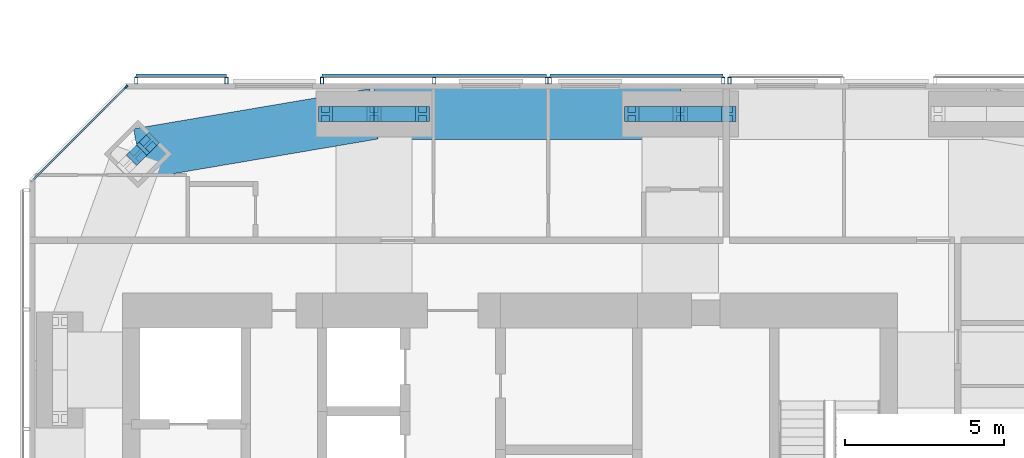
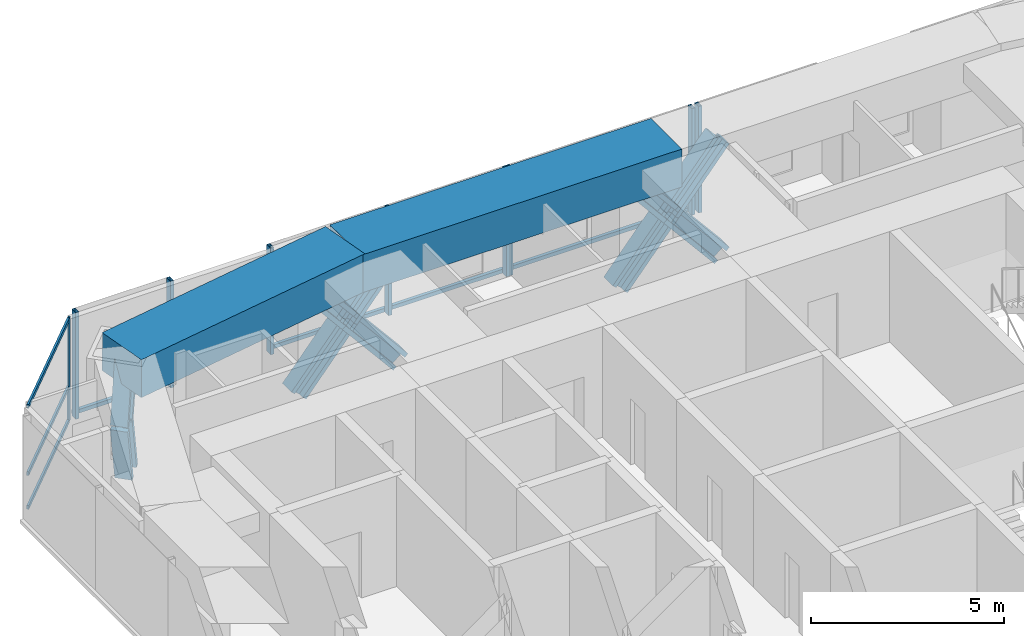
# One storey, part 10 of 19: 25 members, 2 beams, 5 elements without a shape of their own.
"""IFC4 building model written with IfcOpenShell, lengths in metres."""

from ifc_helpers import new_model, si_unit, direction, frame, origin, origin_2d, place, context, subcontext, project, spatial, rectangle, hollow_rectangle, i_section, extrude, material, material_profile, profile_set, type_object, element, aggregate, save


model = new_model("IFC4")

# Units and contexts
model_context = context("Model", 3, precision=1e-05, world=origin(), true_north=direction((0.0, 1.0)))
body_context = subcontext(model_context, "Body", "Model", "MODEL_VIEW")
ifc_project = project(units=[si_unit("LENGTHUNIT", "METRE"), si_unit("AREAUNIT", "SQUARE_METRE"), si_unit("VOLUMEUNIT", "CUBIC_METRE"), si_unit("PLANEANGLEUNIT", "RADIAN"), si_unit("MASSUNIT", "GRAM", prefix="KILO")], contexts=[model_context])

# Site, building, storey
site_placement = place(None, origin())
site = spatial("IfcSite", under=ifc_project, at=site_placement, CompositionType="ELEMENT")
building_placement = place(site_placement, origin())
building = spatial("IfcBuilding", under=site, at=building_placement, Name="Jalousie Tower", CompositionType="ELEMENT")
storey_placement = place(building_placement, frame((0.0, 0.0, 217.949951171875)))
storey = spatial("IfcBuildingStorey", under=building, at=storey_placement, Name="L59", CompositionType="ELEMENT", Elevation=217.949951171875)

# Curtain wall, members
ifc_material_1 = material(Name="Aluminium curtain wall", Category="aluminium")
curtain_wall_type_1 = type_object("IfcCurtainWallType", Name="CORNER WINDOW WALL", PredefinedType="USERDEFINED", material=ifc_material_1)
curtain_wall_1_placement = place(storey_placement, origin())
curtain_wall_1 = element("IfcCurtainWall", 1, at=curtain_wall_1_placement, inside=storey, type_object=curtain_wall_type_1, Name="Corner Window Wall L59 6", ObjectType="CORNER WINDOW WALL", PredefinedType="USERDEFINED")
ifc_material_2 = material(Name="Aluminium mullion", Category="aluminium")
ifc_material_profile_1 = material_profile(ifc_material_2, rectangle(XDim=0.06005859375, YDim=0.14990234375, at=origin_2d()), Name="MULLION 60x150")
ifc_profile_set_1 = profile_set([ifc_material_profile_1], Name="Aluminium mullion")
member_type_1 = type_object("IfcMemberType", Name="CORNER WINDOW WALL MULLION", PredefinedType="MULLION", material=ifc_profile_set_1)
member_1_placement = place(storey_placement, frame((19.830078125, 33.891357421875, 0.0), z_axis=(0.0, 0.0, 1.0), x_axis=(0.707106781187, -0.707106781187, 0.0)))
member_1 = element("IfcMember", 2, at=member_1_placement, type_object=member_type_1, Name="CW-C mullion 1", PredefinedType="MULLION", context=body_context, shape_type="SweptSolid", body=[
    extrude(rectangle(XDim=0.06005859375, YDim=0.14990234375, at=origin_2d()), origin(), (0.0, 0.0, 1.0), 3.260009765625),
])
ifc_material_3 = material(Name="Aluminium transom", Category="aluminium")
ifc_material_profile_2 = material_profile(ifc_material_3, rectangle(XDim=0.06005859375, YDim=0.1201171875, at=origin_2d()), Name="TRANSOM 60x120")
ifc_profile_set_2 = profile_set([ifc_material_profile_2], Name="Aluminium transom")
member_type_2 = type_object("IfcMemberType", Name="CORNER WINDOW WALL TRANSOM", PredefinedType="USERDEFINED", material=ifc_profile_set_2)
member_2_placement = place(storey_placement, frame((19.808837890625, 33.8701171875, 0.030029296875), z_axis=(-0.707106781187, -0.707106781187, 0.0), x_axis=(0.707106781187, -0.707106781187, 0.0)))
member_2 = element("IfcMember", 3, at=member_2_placement, type_object=member_type_2, Name="CW-C transom 1.1", ObjectType="TRANSOM", PredefinedType="USERDEFINED", context=body_context, shape_type="SweptSolid", body=[
    extrude(rectangle(XDim=0.06005859375, YDim=0.1201171875, at=origin_2d()), origin(), (0.0, 0.0, 1.0), 4.0712890625),
])
member_3_placement = place(storey_placement, frame((19.808837890625, 33.8701171875, 1.10009765625), z_axis=(-0.707106781187, -0.707106781187, 0.0), x_axis=(0.707106781187, -0.707106781187, 0.0)))
member_3 = element("IfcMember", 4, at=member_3_placement, type_object=member_type_2, Name="CW-C transom 1.2", ObjectType="TRANSOM", PredefinedType="USERDEFINED", context=body_context, shape_type="SweptSolid", body=[
    extrude(rectangle(XDim=0.06005859375, YDim=0.1201171875, at=origin_2d()), origin(), (0.0, 0.0, 1.0), 4.0712890625),
])
member_4_placement = place(storey_placement, frame((19.808837890625, 33.8701171875, 3.22998046875), z_axis=(-0.707106781187, -0.707106781187, 0.0), x_axis=(0.707106781187, -0.707106781187, 0.0)))
member_4 = element("IfcMember", 5, at=member_4_placement, type_object=member_type_2, Name="CW-C transom 1.3", ObjectType="TRANSOM", PredefinedType="USERDEFINED", context=body_context, shape_type="SweptSolid", body=[
    extrude(rectangle(XDim=0.06005859375, YDim=0.1201171875, at=origin_2d()), origin(), (0.0, 0.0, 1.0), 4.0712890625),
])
aggregate(curtain_wall_1, [member_1, member_2, member_3, member_4])

# Members
ifc_material_4 = material(Name="Steel ASTM A992 Grade 50", Category="steel")
ifc_material_profile_3 = material_profile(ifc_material_4, i_section(OverallWidth=0.472412109375, OverallDepth=0.5791015625, WebThickness=0.094970703125, FlangeThickness=0.1298828125, at=origin_2d()), Name="W14X808")
ifc_profile_set_3 = profile_set([ifc_material_profile_3], Name="Steel ASTM A992 Grade 50")
member_type_3 = type_object("IfcMemberType", Name="PERIMETER BRACE W14X808", PredefinedType="BRACE", material=ifc_profile_set_3)
member_5_placement = place(storey_placement, frame((35.72509765625, 33.050048828125, -0.75), z_axis=(0.641203686759, 0.0, 0.767370726629), x_axis=(0.0, 1.0, 0.0)))
element("IfcMember", 6, at=member_5_placement, inside=storey, type_object=member_type_3, Name="Perimeter brace 10 L59 part 1", PredefinedType="BRACE", context=body_context, shape_type="SweptSolid", body=[
    extrude(i_section(OverallWidth=0.472412109375, OverallDepth=0.5791015625, WebThickness=0.094970703125, FlangeThickness=0.1298828125, at=origin_2d()), origin(), (0.0, 0.0, 1.0), 2.378173828125),
])
member_6_placement = place(storey_placement, frame((37.25, 33.050048828125, 1.074951171875), z_axis=(0.641153177267, 0.0, 0.767412928794), x_axis=(0.0, 1.0, 0.0)))
element("IfcMember", 7, at=member_6_placement, inside=storey, type_object=member_type_3, Name="Perimeter brace 10 L59 part 2", PredefinedType="BRACE", context=body_context, shape_type="SweptSolid", body=[
    extrude(i_section(OverallWidth=0.472412109375, OverallDepth=0.5791015625, WebThickness=0.094970703125, FlangeThickness=0.1298828125, at=origin_2d()), origin(), (0.0, 0.0, 1.0), 2.37841796875),
])
member_7_placement = place(storey_placement, frame((38.77490234375, 33.050048828125, -0.75), z_axis=(-0.641203686759, 0.0, 0.767370726629), x_axis=(0.0, -1.0, 0.0)))
element("IfcMember", 8, at=member_7_placement, inside=storey, type_object=member_type_3, Name="Perimeter brace 10 L59 part 3", PredefinedType="BRACE", context=body_context, shape_type="SweptSolid", body=[
    extrude(i_section(OverallWidth=0.472412109375, OverallDepth=0.5791015625, WebThickness=0.094970703125, FlangeThickness=0.1298828125, at=origin_2d()), origin(), (0.0, 0.0, 1.0), 2.378173828125),
])
member_8_placement = place(storey_placement, frame((37.25, 33.050048828125, 1.074951171875), z_axis=(-0.641153177267, 0.0, 0.767412928794), x_axis=(0.0, -1.0, 0.0)))
element("IfcMember", 9, at=member_8_placement, inside=storey, type_object=member_type_3, Name="Perimeter brace 10 L59 part 4", PredefinedType="BRACE", context=body_context, shape_type="SweptSolid", body=[
    extrude(i_section(OverallWidth=0.472412109375, OverallDepth=0.5791015625, WebThickness=0.094970703125, FlangeThickness=0.1298828125, at=origin_2d()), origin(), (0.0, 0.0, 1.0), 2.37841796875),
])
member_9_placement = place(storey_placement, frame((26.10009765625, 33.050048828125, -0.75), z_axis=(0.641203686759, 0.0, 0.767370726629), x_axis=(0.0, 1.0, 0.0)))
element("IfcMember", 10, at=member_9_placement, inside=storey, type_object=member_type_3, Name="Perimeter brace 11 L59 part 1", PredefinedType="BRACE", context=body_context, shape_type="SweptSolid", body=[
    extrude(i_section(OverallWidth=0.472412109375, OverallDepth=0.5791015625, WebThickness=0.094970703125, FlangeThickness=0.1298828125, at=origin_2d()), origin(), (0.0, 0.0, 1.0), 2.378173828125),
])
member_10_placement = place(storey_placement, frame((27.625, 33.050048828125, 1.074951171875), z_axis=(0.641153177267, 0.0, 0.767412928794), x_axis=(0.0, 1.0, 0.0)))
element("IfcMember", 11, at=member_10_placement, inside=storey, type_object=member_type_3, Name="Perimeter brace 11 L59 part 2", PredefinedType="BRACE", context=body_context, shape_type="SweptSolid", body=[
    extrude(i_section(OverallWidth=0.472412109375, OverallDepth=0.5791015625, WebThickness=0.094970703125, FlangeThickness=0.1298828125, at=origin_2d()), origin(), (0.0, 0.0, 1.0), 2.37841796875),
])
member_11_placement = place(storey_placement, frame((29.14990234375, 33.050048828125, -0.75), z_axis=(-0.641203686759, 0.0, 0.767370726629), x_axis=(0.0, -1.0, 0.0)))
element("IfcMember", 12, at=member_11_placement, inside=storey, type_object=member_type_3, Name="Perimeter brace 11 L59 part 3", PredefinedType="BRACE", context=body_context, shape_type="SweptSolid", body=[
    extrude(i_section(OverallWidth=0.472412109375, OverallDepth=0.5791015625, WebThickness=0.094970703125, FlangeThickness=0.1298828125, at=origin_2d()), origin(), (0.0, 0.0, 1.0), 2.378173828125),
])
member_12_placement = place(storey_placement, frame((27.625, 33.050048828125, 1.074951171875), z_axis=(-0.641153177267, 0.0, 0.767412928794), x_axis=(0.0, -1.0, 0.0)))
element("IfcMember", 13, at=member_12_placement, inside=storey, type_object=member_type_3, Name="Perimeter brace 11 L59 part 4", PredefinedType="BRACE", context=body_context, shape_type="SweptSolid", body=[
    extrude(i_section(OverallWidth=0.472412109375, OverallDepth=0.5791015625, WebThickness=0.094970703125, FlangeThickness=0.1298828125, at=origin_2d()), origin(), (0.0, 0.0, 1.0), 2.37841796875),
])
member_13_placement = place(storey_placement, frame((20.525390625, 32.111083984375, -0.75), z_axis=(-0.169373718771, -0.16924383095, 0.970911463047), x_axis=(0.706835495285, -0.707377963048, 0.0)))
element("IfcMember", 14, at=member_13_placement, inside=storey, type_object=member_type_3, Name="Perimeter brace 12 L59 part 1", PredefinedType="BRACE", context=body_context, shape_type="SweptSolid", body=[
    extrude(i_section(OverallWidth=0.472412109375, OverallDepth=0.5791015625, WebThickness=0.094970703125, FlangeThickness=0.1298828125, at=origin_2d()), origin(), (0.0, 0.0, 1.0), 1.879638671875),
])
member_14_placement = place(storey_placement, frame((20.20703125, 31.79296875, 1.074951171875), z_axis=(0.169352361735, 0.169222490292, 0.970918908228), x_axis=(-0.706835495285, 0.707377963048, 0.0)))
element("IfcMember", 15, at=member_14_placement, inside=storey, type_object=member_type_3, Name="Perimeter brace 12 L59 part 4", PredefinedType="BRACE", context=body_context, shape_type="SweptSolid", body=[
    extrude(i_section(OverallWidth=0.472412109375, OverallDepth=0.5791015625, WebThickness=0.094970703125, FlangeThickness=0.1298828125, at=origin_2d()), origin(), (0.0, 0.0, 1.0), 1.8798828125),
])

# Beams
ifc_material_5 = material(Name="Concrete f'c 40 MPa", Category="concrete")
ifc_material_profile_4 = material_profile(ifc_material_5, rectangle(XDim=1.60009765625, YDim=1.199951171875, at=origin_2d()), Name="RC 1600x1200")
ifc_profile_set_4 = profile_set([ifc_material_profile_4], Name="Concrete f'c 40 MPa")
beam_type = type_object("IfcBeamType", Name="RC BEAM 1600x1200", PredefinedType="BEAM", material=ifc_profile_set_4)
beam_1_placement = place(storey_placement, frame((37.25, 33.050048828125, 2.900146484375), z_axis=(-1.0, 0.0, 0.0), x_axis=(0.0, -1.0, 0.0)))
element("IfcBeam", 16, at=beam_1_placement, inside=storey, type_object=beam_type, Name="Edge band beam 10-11 under L60", PredefinedType="BEAM", context=body_context, shape_type="SweptSolid", body=[
    extrude(rectangle(XDim=1.60009765625, YDim=1.199951171875, at=origin_2d()), origin(), (0.0, 0.0, 1.0), 9.625),
])
beam_2_placement = place(storey_placement, frame((27.625, 33.050048828125, 2.900146484375), z_axis=(-0.985942997446, -0.167082033105, 0.0), x_axis=(0.167082033105, -0.985942997446, 0.0)))
element("IfcBeam", 17, at=beam_2_placement, inside=storey, type_object=beam_type, Name="Edge band beam 11-12 under L60", PredefinedType="BEAM", context=body_context, shape_type="SweptSolid", body=[
    extrude(rectangle(XDim=1.60009765625, YDim=1.199951171875, at=origin_2d()), origin(), (0.0, 0.0, 1.0), 7.523681640625),
])

# Curtain wall, member
ifc_material_6 = material(Name="Perforated aluminium sheet", Category="aluminium")
curtain_wall_type_2 = type_object("IfcCurtainWallType", Name="SOLAR SCREEN SS-2", PredefinedType="USERDEFINED", material=ifc_material_6)
curtain_wall_2_placement = place(storey_placement, origin())
curtain_wall_2 = element("IfcCurtainWall", 18, at=curtain_wall_2_placement, inside=storey, type_object=curtain_wall_type_2, Name="Solar screen L59", ObjectType="SOLAR SCREEN SS-2", PredefinedType="USERDEFINED")
ifc_material_7 = material(Name="Steel ASTM A500 Grade C", Category="steel")
ifc_material_profile_5 = material_profile(ifc_material_7, hollow_rectangle(XDim=0.1015625, YDim=0.203125, WallThickness=0.0078125, at=origin_2d()), Name="HSS8X4X5/16")
ifc_profile_set_5 = profile_set([ifc_material_profile_5], Name="Steel ASTM A500 Grade C")
member_type_4 = type_object("IfcMemberType", Name="SOLAR SCREEN SS-2 MULLION", PredefinedType="MULLION", material=ifc_profile_set_5)
member_15_placement = place(storey_placement, frame((38.800048828125, 34.0966796875, -0.119873046875), z_axis=(0.0, 0.0, 1.0), x_axis=(-1.0, 0.0, 0.0)))
member_15 = element("IfcMember", 19, at=member_15_placement, type_object=member_type_4, Name="SS2 post 2", PredefinedType="MULLION", context=body_context, shape_type="SweptSolid", body=[
    extrude(hollow_rectangle(XDim=0.1015625, YDim=0.203125, WallThickness=0.0078125, at=origin_2d()), origin(), (0.0, 0.0, 1.0), 3.3798828125),
])
aggregate(curtain_wall_2, [member_15])

# Curtain wall, members
curtain_wall_3_placement = place(storey_placement, origin())
curtain_wall_3 = element("IfcCurtainWall", 20, at=curtain_wall_3_placement, inside=storey, type_object=curtain_wall_type_2, Name="Solar screen L59", ObjectType="SOLAR SCREEN SS-2", PredefinedType="USERDEFINED")
member_16_placement = place(storey_placement, frame((38.60009765625, 34.0966796875, -0.119873046875), z_axis=(0.0, 0.0, 1.0), x_axis=(-1.0, 0.0, 0.0)))
member_16 = element("IfcMember", 21, at=member_16_placement, type_object=member_type_4, Name="SS2 post 1", PredefinedType="MULLION", context=body_context, shape_type="SweptSolid", body=[
    extrude(hollow_rectangle(XDim=0.1015625, YDim=0.203125, WallThickness=0.0078125, at=origin_2d()), origin(), (0.0, 0.0, 1.0), 3.3798828125),
])
member_17_placement = place(storey_placement, frame((33.14990234375, 34.0966796875, -0.119873046875), z_axis=(0.0, 0.0, 1.0), x_axis=(-1.0, 0.0, 0.0)))
member_17 = element("IfcMember", 22, at=member_17_placement, type_object=member_type_4, Name="SS2 post 2", PredefinedType="MULLION", context=body_context, shape_type="SweptSolid", body=[
    extrude(hollow_rectangle(XDim=0.1015625, YDim=0.203125, WallThickness=0.0078125, at=origin_2d()), origin(), (0.0, 0.0, 1.0), 3.3798828125),
])

curtain_wall_4_placement = place(storey_placement, origin())
curtain_wall_4 = element("IfcCurtainWall", 23, at=curtain_wall_4_placement, inside=storey, type_object=curtain_wall_type_2, Name="Solar screen L59", ObjectType="SOLAR SCREEN SS-2", PredefinedType="USERDEFINED")
member_18_placement = place(storey_placement, frame((33.050048828125, 34.0966796875, -0.119873046875), z_axis=(0.0, 0.0, 1.0), x_axis=(-1.0, 0.0, 0.0)))
member_18 = element("IfcMember", 24, at=member_18_placement, type_object=member_type_4, Name="SS2 post 1", PredefinedType="MULLION", context=body_context, shape_type="SweptSolid", body=[
    extrude(hollow_rectangle(XDim=0.1015625, YDim=0.203125, WallThickness=0.0078125, at=origin_2d()), origin(), (0.0, 0.0, 1.0), 3.3798828125),
])
member_19_placement = place(storey_placement, frame((29.51904296875, 34.0966796875, -0.119873046875), z_axis=(0.0, 0.0, 1.0), x_axis=(-1.0, 0.0, 0.0)))
member_19 = element("IfcMember", 25, at=member_19_placement, type_object=member_type_4, Name="SS2 post 2", PredefinedType="MULLION", context=body_context, shape_type="SweptSolid", body=[
    extrude(hollow_rectangle(XDim=0.1015625, YDim=0.203125, WallThickness=0.0078125, at=origin_2d()), origin(), (0.0, 0.0, 1.0), 3.3798828125),
])
member_20_placement = place(storey_placement, frame((25.988037109375, 34.0966796875, -0.119873046875), z_axis=(0.0, 0.0, 1.0), x_axis=(-1.0, 0.0, 0.0)))
member_20 = element("IfcMember", 26, at=member_20_placement, type_object=member_type_4, Name="SS2 post 3", PredefinedType="MULLION", context=body_context, shape_type="SweptSolid", body=[
    extrude(hollow_rectangle(XDim=0.1015625, YDim=0.203125, WallThickness=0.0078125, at=origin_2d()), origin(), (0.0, 0.0, 1.0), 3.3798828125),
])

curtain_wall_5_placement = place(storey_placement, origin())
curtain_wall_5 = element("IfcCurtainWall", 27, at=curtain_wall_5_placement, inside=storey, type_object=curtain_wall_type_2, Name="Solar screen L59", ObjectType="SOLAR SCREEN SS-2", PredefinedType="USERDEFINED")
member_21_placement = place(storey_placement, frame((22.988037109375, 34.0966796875, -0.119873046875), z_axis=(0.0, 0.0, 1.0), x_axis=(-1.0, 0.0, 0.0)))
member_21 = element("IfcMember", 28, at=member_21_placement, type_object=member_type_4, Name="SS2 post 1", PredefinedType="MULLION", context=body_context, shape_type="SweptSolid", body=[
    extrude(hollow_rectangle(XDim=0.1015625, YDim=0.203125, WallThickness=0.0078125, at=origin_2d()), origin(), (0.0, 0.0, 1.0), 3.3798828125),
])
member_22_placement = place(storey_placement, frame((20.1513671875, 34.0966796875, -0.119873046875), z_axis=(0.0, 0.0, 1.0), x_axis=(-1.0, 0.0, 0.0)))
member_22 = element("IfcMember", 29, at=member_22_placement, type_object=member_type_4, Name="SS2 post 2", PredefinedType="MULLION", context=body_context, shape_type="SweptSolid", body=[
    extrude(hollow_rectangle(XDim=0.1015625, YDim=0.203125, WallThickness=0.0078125, at=origin_2d()), origin(), (0.0, 0.0, 1.0), 3.3798828125),
])

# Member
ifc_material_8 = material(Name="Extruded aluminium screen rail", Category="aluminium")
ifc_material_profile_6 = material_profile(ifc_material_8, rectangle(XDim=0.1015625, YDim=0.1201171875, at=origin_2d()), Name="RAIL 102x120")
ifc_profile_set_6 = profile_set([ifc_material_profile_6], Name="Extruded aluminium screen rail")
member_type_5 = type_object("IfcMemberType", Name="SOLAR SCREEN SS-2 TRANSOM", PredefinedType="USERDEFINED", material=ifc_profile_set_6)
member_23_placement = place(storey_placement, frame((38.60009765625, 34.2490234375, -0.06005859375), z_axis=(-1.0, 0.0, 0.0), x_axis=(0.0, -1.0, 0.0)))
member_23 = element("IfcMember", 30, at=member_23_placement, type_object=member_type_5, Name="SS2 rail", ObjectType="TRANSOM", PredefinedType="USERDEFINED", context=body_context, shape_type="SweptSolid", body=[
    extrude(rectangle(XDim=0.1015625, YDim=0.1201171875, at=origin_2d()), origin(), (0.0, 0.0, 1.0), 5.4501953125),
])

aggregate(curtain_wall_3, [member_16, member_17, member_23])

member_24_placement = place(storey_placement, frame((33.050048828125, 34.2490234375, -0.06005859375), z_axis=(-1.0, 0.0, 0.0), x_axis=(0.0, -1.0, 0.0)))
member_24 = element("IfcMember", 31, at=member_24_placement, type_object=member_type_5, Name="SS2 rail", ObjectType="TRANSOM", PredefinedType="USERDEFINED", context=body_context, shape_type="SweptSolid", body=[
    extrude(rectangle(XDim=0.1015625, YDim=0.1201171875, at=origin_2d()), origin(), (0.0, 0.0, 1.0), 7.06201171875),
])

aggregate(curtain_wall_4, [member_18, member_19, member_20, member_24])

member_25_placement = place(storey_placement, frame((22.988037109375, 34.2490234375, -0.06005859375), z_axis=(-1.0, 0.0, 0.0), x_axis=(0.0, -1.0, 0.0)))
member_25 = element("IfcMember", 32, at=member_25_placement, type_object=member_type_5, Name="SS2 rail", ObjectType="TRANSOM", PredefinedType="USERDEFINED", context=body_context, shape_type="SweptSolid", body=[
    extrude(rectangle(XDim=0.1015625, YDim=0.1201171875, at=origin_2d()), origin(), (0.0, 0.0, 1.0), 2.836669921875),
])

aggregate(curtain_wall_5, [member_21, member_22, member_25])

save(model, "model.ifc")
